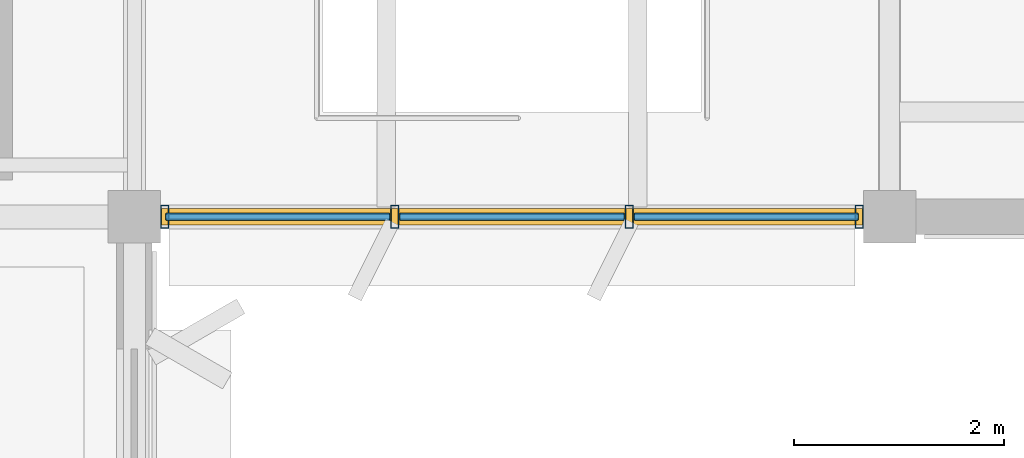
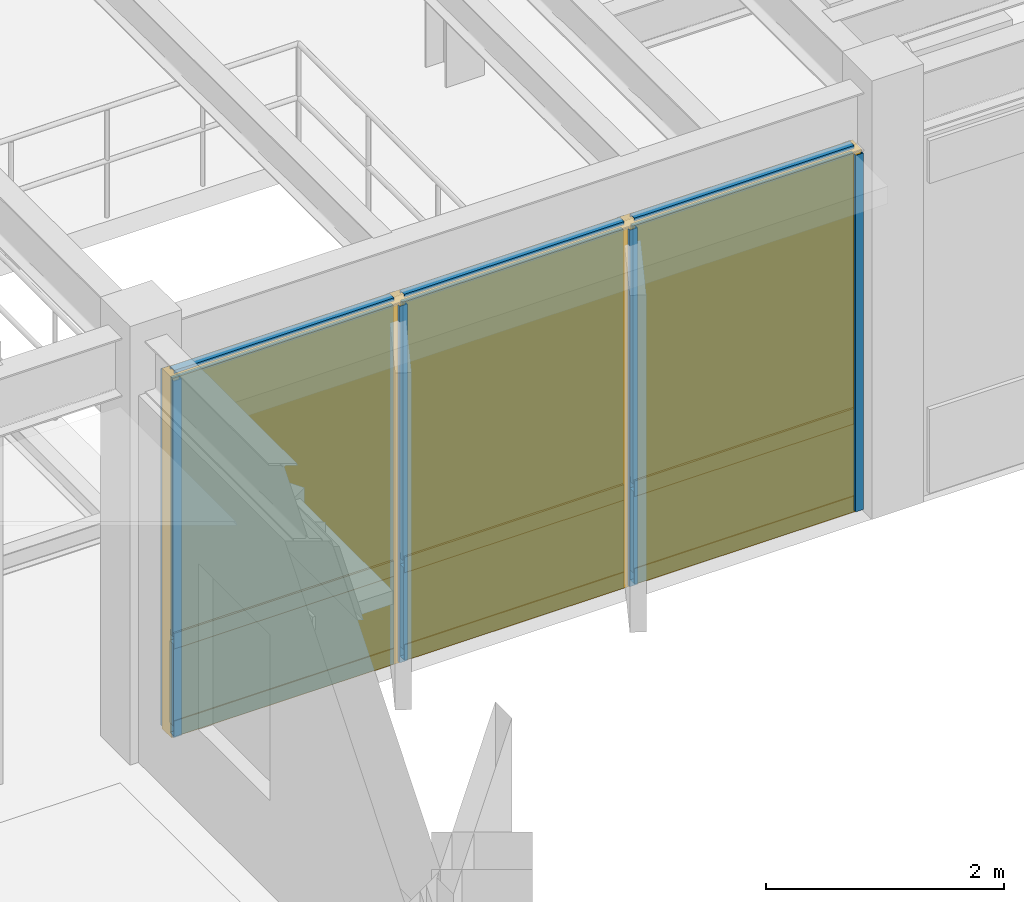
# One storey, part 50 of 92: 13 members, 6 plates, 1 curtain wall.
"""IFC4 building model written with IfcOpenShell, lengths in metres."""

from ifc_helpers import new_model, si_unit, direction, frame, origin, origin_2d, place, context, subcontext, project, spatial, rectangle, hollow_rectangle, extrude, material, layer, layer_set, material_profile, profile_set, type_object, element, aggregate, save


model = new_model("IFC4")

# Units and contexts
model_context = context("Model", 3, precision=1e-05, world=origin(), true_north=direction((0.0, 1.0)))
body_context = subcontext(model_context, "Body", "Model", "MODEL_VIEW")
ifc_project = project(units=[si_unit("LENGTHUNIT", "METRE"), si_unit("AREAUNIT", "SQUARE_METRE"), si_unit("VOLUMEUNIT", "CUBIC_METRE"), si_unit("PLANEANGLEUNIT", "RADIAN"), si_unit("MASSUNIT", "GRAM", prefix="KILO")], contexts=[model_context])

# Member
ifc_material_1 = material(Name="Anodized Aluminium 6063-T6", Category="aluminium")
ifc_material_profile_1 = material_profile(ifc_material_1, hollow_rectangle(XDim=0.074951171875, YDim=0.219970703125, WallThickness=0.0048828125, at=origin_2d()), Name="ALU 75x220x5")
ifc_profile_set_1 = profile_set([ifc_material_profile_1], Name="Anodized Aluminium 6063-T6")
member_type_1 = type_object("IfcMemberType", Name="CWM-75X180", PredefinedType="MULLION", material=ifc_profile_set_1)
site_placement = place(None, origin())
building_placement = place(site_placement, origin())
storey_placement = place(building_placement, frame((0.0, 0.0, 5.39990234375)))
member_1_placement = place(storey_placement, frame((57.31005859375, 36.0, 0.02001953125), z_axis=(0.0, 0.0, 1.0), x_axis=(1.0, 0.0, 0.0)))
member_1 = element("IfcMember", 1, at=member_1_placement, type_object=member_type_1, Name="Curtain wall mullion CW-L02-07-05-S-00", PredefinedType="MULLION", context=body_context, shape_type="SweptSolid", body=[
    extrude(hollow_rectangle(XDim=0.074951171875, YDim=0.219970703125, WallThickness=0.0048828125, at=origin_2d()), origin(), (0.0, 0.0, 1.0), 3.657958984375),
])

member_2_placement = place(storey_placement, frame((55.11669921875, 36.0, 0.02001953125), z_axis=(0.0, 0.0, 1.0), x_axis=(1.0, 0.0, 0.0)))
member_2 = element("IfcMember", 2, at=member_2_placement, type_object=member_type_1, Name="Curtain wall mullion CW-L02-07-05-S-01", PredefinedType="MULLION", context=body_context, shape_type="SweptSolid", body=[
    extrude(hollow_rectangle(XDim=0.074951171875, YDim=0.219970703125, WallThickness=0.0048828125, at=origin_2d()), origin(), (0.0, 0.0, 1.0), 3.657958984375),
])

member_3_placement = place(storey_placement, frame((52.88330078125, 36.0, 0.02001953125), z_axis=(0.0, 0.0, 1.0), x_axis=(1.0, 0.0, 0.0)))
member_3 = element("IfcMember", 3, at=member_3_placement, type_object=member_type_1, Name="Curtain wall mullion CW-L02-07-05-S-02", PredefinedType="MULLION", context=body_context, shape_type="SweptSolid", body=[
    extrude(hollow_rectangle(XDim=0.074951171875, YDim=0.219970703125, WallThickness=0.0048828125, at=origin_2d()), origin(), (0.0, 0.0, 1.0), 3.657958984375),
])

member_4_placement = place(storey_placement, frame((50.68994140625, 36.0, 0.02001953125), z_axis=(0.0, 0.0, 1.0), x_axis=(1.0, 0.0, 0.0)))
member_4 = element("IfcMember", 4, at=member_4_placement, type_object=member_type_1, Name="Curtain wall mullion CW-L02-07-05-S-03", PredefinedType="MULLION", context=body_context, shape_type="SweptSolid", body=[
    extrude(hollow_rectangle(XDim=0.074951171875, YDim=0.219970703125, WallThickness=0.0048828125, at=origin_2d()), origin(), (0.0, 0.0, 1.0), 3.657958984375),
])

ifc_material_profile_2 = material_profile(ifc_material_1, hollow_rectangle(XDim=0.074951171875, YDim=0.159912109375, WallThickness=0.00390625, at=origin_2d()), Name="ALU 75x160x4")
ifc_profile_set_2 = profile_set([ifc_material_profile_2], Name="Anodized Aluminium 6063-T6")
member_type_2 = type_object("IfcMemberType", Name="CWT-75X150", PredefinedType="USERDEFINED", material=ifc_profile_set_2)
member_5_placement = place(storey_placement, frame((57.300048828125, 36.0, 0.050048828125), z_axis=(-1.0, 0.0, 0.0), x_axis=(0.0, -1.0, 0.0)))
member_5 = element("IfcMember", 5, at=member_5_placement, type_object=member_type_2, Name="Curtain wall transom CW-L02-07-05-S-1.01", ObjectType="TRANSOM", PredefinedType="USERDEFINED", context=body_context, shape_type="SweptSolid", body=[
    extrude(hollow_rectangle(XDim=0.074951171875, YDim=0.159912109375, WallThickness=0.00390625, at=origin_2d()), origin(), (0.0, 0.0, 1.0), 2.13330078125),
])

member_6_placement = place(storey_placement, frame((55.066650390625, 36.0, 0.050048828125), z_axis=(-1.0, 0.0, 0.0), x_axis=(0.0, -1.0, 0.0)))
member_6 = element("IfcMember", 6, at=member_6_placement, type_object=member_type_2, Name="Curtain wall transom CW-L02-07-05-S-1.02", ObjectType="TRANSOM", PredefinedType="USERDEFINED", context=body_context, shape_type="SweptSolid", body=[
    extrude(hollow_rectangle(XDim=0.074951171875, YDim=0.159912109375, WallThickness=0.00390625, at=origin_2d()), origin(), (0.0, 0.0, 1.0), 2.13330078125),
])

member_7_placement = place(storey_placement, frame((52.833251953125, 36.0, 0.050048828125), z_axis=(-1.0, 0.0, 0.0), x_axis=(0.0, -1.0, 0.0)))
member_7 = element("IfcMember", 7, at=member_7_placement, type_object=member_type_2, Name="Curtain wall transom CW-L02-07-05-S-1.03", ObjectType="TRANSOM", PredefinedType="USERDEFINED", context=body_context, shape_type="SweptSolid", body=[
    extrude(hollow_rectangle(XDim=0.074951171875, YDim=0.159912109375, WallThickness=0.00390625, at=origin_2d()), origin(), (0.0, 0.0, 1.0), 2.13330078125),
])

member_8_placement = place(storey_placement, frame((57.300048828125, 36.0, 0.9501953125), z_axis=(-1.0, 0.0, 0.0), x_axis=(0.0, -1.0, 0.0)))
member_8 = element("IfcMember", 8, at=member_8_placement, type_object=member_type_2, Name="Curtain wall transom CW-L02-07-05-S-2.01", ObjectType="TRANSOM", PredefinedType="USERDEFINED", context=body_context, shape_type="SweptSolid", body=[
    extrude(hollow_rectangle(XDim=0.074951171875, YDim=0.159912109375, WallThickness=0.00390625, at=origin_2d()), origin(), (0.0, 0.0, 1.0), 2.13330078125),
])

member_9_placement = place(storey_placement, frame((55.066650390625, 36.0, 0.9501953125), z_axis=(-1.0, 0.0, 0.0), x_axis=(0.0, -1.0, 0.0)))
member_9 = element("IfcMember", 9, at=member_9_placement, type_object=member_type_2, Name="Curtain wall transom CW-L02-07-05-S-2.02", ObjectType="TRANSOM", PredefinedType="USERDEFINED", context=body_context, shape_type="SweptSolid", body=[
    extrude(hollow_rectangle(XDim=0.074951171875, YDim=0.159912109375, WallThickness=0.00390625, at=origin_2d()), origin(), (0.0, 0.0, 1.0), 2.13330078125),
])

member_10_placement = place(storey_placement, frame((52.833251953125, 36.0, 0.9501953125), z_axis=(-1.0, 0.0, 0.0), x_axis=(0.0, -1.0, 0.0)))
member_10 = element("IfcMember", 10, at=member_10_placement, type_object=member_type_2, Name="Curtain wall transom CW-L02-07-05-S-2.03", ObjectType="TRANSOM", PredefinedType="USERDEFINED", context=body_context, shape_type="SweptSolid", body=[
    extrude(hollow_rectangle(XDim=0.074951171875, YDim=0.159912109375, WallThickness=0.00390625, at=origin_2d()), origin(), (0.0, 0.0, 1.0), 2.13330078125),
])

member_11_placement = place(storey_placement, frame((57.300048828125, 36.0, 3.648193359375), z_axis=(-1.0, 0.0, 0.0), x_axis=(0.0, -1.0, 0.0)))
member_11 = element("IfcMember", 11, at=member_11_placement, type_object=member_type_2, Name="Curtain wall transom CW-L02-07-05-S-3.01", ObjectType="TRANSOM", PredefinedType="USERDEFINED", context=body_context, shape_type="SweptSolid", body=[
    extrude(hollow_rectangle(XDim=0.074951171875, YDim=0.159912109375, WallThickness=0.00390625, at=origin_2d()), origin(), (0.0, 0.0, 1.0), 2.13330078125),
])

member_12_placement = place(storey_placement, frame((55.066650390625, 36.0, 3.648193359375), z_axis=(-1.0, 0.0, 0.0), x_axis=(0.0, -1.0, 0.0)))
member_12 = element("IfcMember", 12, at=member_12_placement, type_object=member_type_2, Name="Curtain wall transom CW-L02-07-05-S-3.02", ObjectType="TRANSOM", PredefinedType="USERDEFINED", context=body_context, shape_type="SweptSolid", body=[
    extrude(hollow_rectangle(XDim=0.074951171875, YDim=0.159912109375, WallThickness=0.00390625, at=origin_2d()), origin(), (0.0, 0.0, 1.0), 2.13330078125),
])

member_13_placement = place(storey_placement, frame((52.833251953125, 36.0, 3.648193359375), z_axis=(-1.0, 0.0, 0.0), x_axis=(0.0, -1.0, 0.0)))
member_13 = element("IfcMember", 13, at=member_13_placement, type_object=member_type_2, Name="Curtain wall transom CW-L02-07-05-S-3.03", ObjectType="TRANSOM", PredefinedType="USERDEFINED", context=body_context, shape_type="SweptSolid", body=[
    extrude(hollow_rectangle(XDim=0.074951171875, YDim=0.159912109375, WallThickness=0.00390625, at=origin_2d()), origin(), (0.0, 0.0, 1.0), 2.13330078125),
])

# Plate
ifc_material_2 = material(Name="Acoustic Laminated Low-E Glazing", Category="glass")
ifc_layer_1 = layer(ifc_material_2, 0.0439453125)
ifc_layer_set_1 = layer_set([ifc_layer_1], Name="Acoustic Laminated Low-E Glazing")
plate_type_1 = type_object("IfcPlateType", Name="CWP-IGU-44", PredefinedType="CURTAIN_PANEL", material=ifc_layer_set_1)
plate_1_placement = place(storey_placement, frame((56.2333984375, 36.0, 0.990234375), z_axis=(0.0, 0.0, 1.0), x_axis=(-1.0, 0.0, 0.0)))
plate_1 = element("IfcPlate", 14, at=plate_1_placement, type_object=plate_type_1, Name="Curtain wall vision glazing CW-L02-07-05-S-01", PredefinedType="CURTAIN_PANEL", context=body_context, shape_type="SweptSolid", body=[
    extrude(rectangle(XDim=2.143310546875, YDim=0.0400390625, at=origin_2d()), origin(), (0.0, 0.0, 1.0), 2.64794921875),
])

plate_2_placement = place(storey_placement, frame((54.0, 36.0, 0.990234375), z_axis=(0.0, 0.0, 1.0), x_axis=(-1.0, 0.0, 0.0)))
plate_2 = element("IfcPlate", 15, at=plate_2_placement, type_object=plate_type_1, Name="Curtain wall vision glazing CW-L02-07-05-S-02", PredefinedType="CURTAIN_PANEL", context=body_context, shape_type="SweptSolid", body=[
    extrude(rectangle(XDim=2.143310546875, YDim=0.0400390625, at=origin_2d()), origin(), (0.0, 0.0, 1.0), 2.64794921875),
])

plate_3_placement = place(storey_placement, frame((51.7666015625, 36.0, 0.990234375), z_axis=(0.0, 0.0, 1.0), x_axis=(-1.0, 0.0, 0.0)))
plate_3 = element("IfcPlate", 16, at=plate_3_placement, type_object=plate_type_1, Name="Curtain wall vision glazing CW-L02-07-05-S-03", PredefinedType="CURTAIN_PANEL", context=body_context, shape_type="SweptSolid", body=[
    extrude(rectangle(XDim=2.143310546875, YDim=0.0400390625, at=origin_2d()), origin(), (0.0, 0.0, 1.0), 2.64794921875),
])

ifc_material_3 = material(Name="Insulated Stone-Composite Spandrel", Category="masonry")
ifc_layer_2 = layer(ifc_material_3, 0.068115234375)
ifc_layer_set_2 = layer_set([ifc_layer_2], Name="Insulated Stone-Composite Spandrel")
plate_type_2 = type_object("IfcPlateType", Name="CWP-SPN-68", PredefinedType="CURTAIN_PANEL", material=ifc_layer_set_2)
plate_4_placement = place(storey_placement, frame((56.2333984375, 36.0, 0.080078125), z_axis=(0.0, 0.0, 1.0), x_axis=(-1.0, 0.0, 0.0)))
plate_4 = element("IfcPlate", 17, at=plate_4_placement, type_object=plate_type_2, Name="Curtain wall spandrel panel CW-L02-07-05-S-01", PredefinedType="CURTAIN_PANEL", context=body_context, shape_type="SweptSolid", body=[
    extrude(rectangle(XDim=2.143310546875, YDim=0.06005859375, at=origin_2d()), origin(), (0.0, 0.0, 1.0), 0.840087890625),
])

plate_5_placement = place(storey_placement, frame((54.0, 36.0, 0.080078125), z_axis=(0.0, 0.0, 1.0), x_axis=(-1.0, 0.0, 0.0)))
plate_5 = element("IfcPlate", 18, at=plate_5_placement, type_object=plate_type_2, Name="Curtain wall spandrel panel CW-L02-07-05-S-02", PredefinedType="CURTAIN_PANEL", context=body_context, shape_type="SweptSolid", body=[
    extrude(rectangle(XDim=2.143310546875, YDim=0.06005859375, at=origin_2d()), origin(), (0.0, 0.0, 1.0), 0.840087890625),
])

plate_6_placement = place(storey_placement, frame((51.7666015625, 36.0, 0.080078125), z_axis=(0.0, 0.0, 1.0), x_axis=(-1.0, 0.0, 0.0)))
plate_6 = element("IfcPlate", 19, at=plate_6_placement, type_object=plate_type_2, Name="Curtain wall spandrel panel CW-L02-07-05-S-03", PredefinedType="CURTAIN_PANEL", context=body_context, shape_type="SweptSolid", body=[
    extrude(rectangle(XDim=2.143310546875, YDim=0.06005859375, at=origin_2d()), origin(), (0.0, 0.0, 1.0), 0.840087890625),
])

# Site, building, storey
site = spatial("IfcSite", under=ifc_project, at=site_placement, CompositionType="ELEMENT")
building = spatial("IfcBuilding", under=site, at=building_placement, Name="Sillqori Civic Hall", CompositionType="ELEMENT")
storey = spatial("IfcBuildingStorey", under=building, at=storey_placement, Name="L02", CompositionType="ELEMENT", Elevation=5.39990234375)

# Curtain wall
ifc_material_4 = material(Name="Anodized Aluminium Curtain Wall System", Category="aluminium")
curtain_wall_type = type_object("IfcCurtainWallType", Name="CW-GL-430", PredefinedType="NOTDEFINED", material=ifc_material_4)
curtain_wall_placement = place(storey_placement, frame((54.0, 36.0, 0.0), z_axis=(0.0, 0.0, 1.0), x_axis=(-1.0, 0.0, 0.0)))
curtain_wall = element("IfcCurtainWall", 20, at=curtain_wall_placement, inside=storey, type_object=curtain_wall_type, Name="L02 unitised curtain wall CW-L02-07-05-S", PredefinedType="NOTDEFINED", context=body_context, shape_type="SweptSolid", body=[
    extrude(rectangle(XDim=6.699951171875, YDim=0.159912109375, at=origin_2d()), origin(), (0.0, 0.0, 1.0), 3.697998046875),
])

aggregate(curtain_wall, [member_1, member_2, member_3, member_4, member_5, member_6, member_7, member_8, member_9, member_10, member_11, member_12, member_13, plate_4, plate_1, plate_5, plate_2, plate_6, plate_3])

save(model, "model.ifc")
